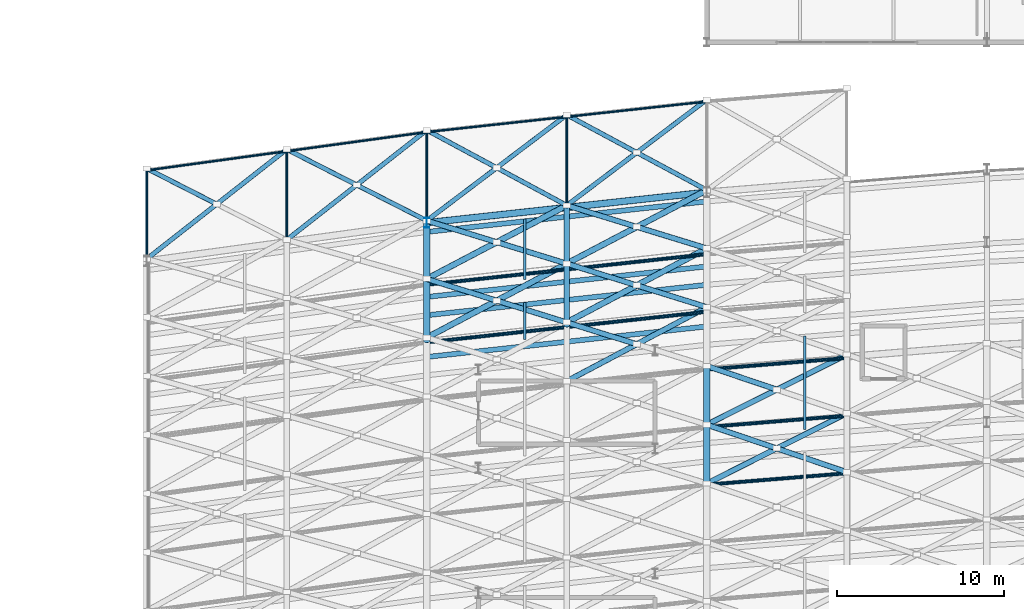
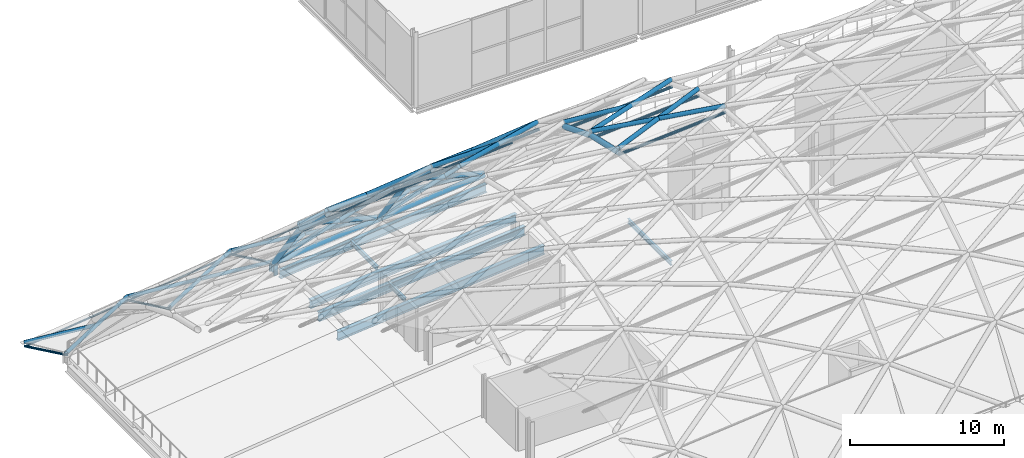
# One storey, part 24 of 100: 54 members, 7 beams.
"""IFC4 building model written with IfcOpenShell, lengths in metres."""

import ifcopenshell
import ifcopenshell.guid

model = None  # the IFC model being written
_history = None  # IfcOwnerHistory: only IFC2X3 demands one
_inside = {}  # id of a spatial element -> (the spatial element, [elements in it])
_under = {}  # id of a project, library or spatial element -> (it, [spatial elements below it])
_declared = {}  # id of a project -> (the project, [libraries it declares])
_typed = {}  # id of a type object -> (the type object, [elements of that type])
_made_of = {}  # id of a material, layer set ... -> (it, [elements and type objects made of it])


def new_model(schema):
    """Start an empty IFC model of exactly this schema.

    Asked for "IFC4X3", IfcOpenShell would pick the latest addendum, in which some entities
    have other attributes; the version numbers below select the first issue.
    IFC2X3 requires an IfcOwnerHistory on every rooted entity: one is made here for all.
    """
    global model, _history
    if schema == "IFC4X3":
        model = ifcopenshell.file(schema_version=(4, 3, 0, 0))
    else:
        model = ifcopenshell.file(schema=schema)
    _inside.clear()
    _under.clear()
    _declared.clear()
    _typed.clear()
    _made_of.clear()
    _history = None
    if model.schema == "IFC2X3":
        org = make("IfcOrganization", Name="unknown")
        user = make(
            "IfcPersonAndOrganization",
            ThePerson=make("IfcPerson", FamilyName="unknown"),
            TheOrganization=org,
        )
        app = make(
            "IfcApplication",
            ApplicationDeveloper=org,
            Version="unknown",
            ApplicationFullName="unknown",
            ApplicationIdentifier="unknown",
        )
        _history = make(
            "IfcOwnerHistory",
            OwningUser=user,
            OwningApplication=app,
            ChangeAction="ADDED",
            CreationDate=0,
        )
    return model


def make(cls, **values):
    """One entity of the class cls with the attributes given. An attribute that is None is left unset."""
    return model.create_entity(
        cls, **{name: value for name, value in values.items() if value is not None}
    )


def rooted(cls, **values):
    """An entity with a GlobalId (a new one), such as an element, a storey or a relation."""
    return make(cls, GlobalId=ifcopenshell.guid.new(), OwnerHistory=_history, **values)


def si_unit(unit_type, name, prefix=None):
    """IfcSIUnit, for example si_unit("LENGTHUNIT", "METRE", prefix="MILLI")."""
    return make("IfcSIUnit", UnitType=unit_type, Prefix=prefix, Name=name)


def assignment(units):
    """IfcUnitAssignment: the units of a project."""
    return None if units is None else make("IfcUnitAssignment", Units=units)


def point(xyz):
    """IfcCartesianPoint."""
    return None if xyz is None else make("IfcCartesianPoint", Coordinates=xyz)


def direction(xyz):
    """IfcDirection."""
    return None if xyz is None else make("IfcDirection", DirectionRatios=xyz)


def frame(location, z_axis=None, x_axis=None):
    """IfcAxis2Placement3D, a coordinate frame: its origin and axes. An axis left out is left unset."""
    return make(
        "IfcAxis2Placement3D",
        Location=point(location),
        Axis=direction(z_axis),
        RefDirection=direction(x_axis),
    )


def frame_2d(location, x_axis=None):
    """IfcAxis2Placement2D, a coordinate frame in the plane: its origin and x axis."""
    return make(
        "IfcAxis2Placement2D", Location=point(location), RefDirection=direction(x_axis)
    )


def origin():
    """The frame at (0, 0, 0) with its axes left unset."""
    return frame((0.0, 0.0, 0.0))


def origin_2d():
    """The frame at (0, 0) in the plane with its x axis left unset."""
    return frame_2d((0.0, 0.0))


def place(relative_to, where):
    """IfcLocalPlacement: puts the frame where relative to a parent placement (None: the world)."""
    return make(
        "IfcLocalPlacement", PlacementRelTo=relative_to, RelativePlacement=where
    )


def context(
    kind, dimensions, precision=None, world=None, true_north=None, identifier=None
):
    """IfcGeometricRepresentationContext, for example the 3D "Model" context."""
    return make(
        "IfcGeometricRepresentationContext",
        ContextIdentifier=identifier,
        ContextType=kind,
        CoordinateSpaceDimension=dimensions,
        Precision=precision,
        WorldCoordinateSystem=world,
        TrueNorth=true_north,
    )


def subcontext(parent, identifier, kind, view, scale=None):
    """IfcGeometricRepresentationSubContext, for example "Body" below "Model"."""
    return make(
        "IfcGeometricRepresentationSubContext",
        ContextIdentifier=identifier,
        ContextType=kind,
        ParentContext=parent,
        TargetScale=scale,
        TargetView=view,
    )


def project(units=None, contexts=None):
    """IfcProject with its units and contexts."""
    return rooted(
        "IfcProject",
        Name="project",
        RepresentationContexts=contexts,
        UnitsInContext=assignment(units),
    )


def spatial(cls, under=None, at=None, **own):
    """A site, building, storey or space (cls), placed at a placement, below another one or the project."""
    s = rooted(cls, ObjectPlacement=at, **own)
    if under is not None:
        _under.setdefault(under.id(), (under, []))[1].append(s)
    return s


def profile(cls, at=None, kind="AREA", **sizes):
    """A parametric profile (cls). Its sizes go by their IFC names, for example OverallWidth=200.0."""
    return make(cls, ProfileType=kind, Position=at, **sizes)


def hollow_circle(**sizes):
    """IfcCircleHollowProfileDef."""
    return profile("IfcCircleHollowProfileDef", **sizes)


def i_section(**sizes):
    """IfcIShapeProfileDef."""
    return profile("IfcIShapeProfileDef", **sizes)


def extrude(swept, where, along, depth):
    """IfcExtrudedAreaSolid: the profile swept, set in the frame where, extruded along a direction by depth."""
    return make(
        "IfcExtrudedAreaSolid",
        SweptArea=swept,
        Position=where,
        ExtrudedDirection=direction(along),
        Depth=depth,
    )


def shape(context_of_items, identifier, shape_type, items):
    """IfcShapeRepresentation: the items that make up one representation, for example the "Body"."""
    return make(
        "IfcShapeRepresentation",
        ContextOfItems=context_of_items,
        RepresentationIdentifier=identifier,
        RepresentationType=shape_type,
        Items=items,
    )


def material(Name=None, Category=None):
    """IfcMaterial."""
    return make("IfcMaterial", Name=Name, Category=Category)


def material_profile(
    of_material, cross_section, Name=None, Category=None, Priority=None
):
    """IfcMaterialProfile: a cross section and its material."""
    return make(
        "IfcMaterialProfile",
        Name=Name,
        Material=of_material,
        Profile=cross_section,
        Priority=Priority,
        Category=Category,
    )


def profile_set(profiles, Name=None, composite=None):
    """IfcMaterialProfileSet."""
    return make(
        "IfcMaterialProfileSet",
        Name=Name,
        MaterialProfiles=profiles,
        CompositeProfile=composite,
    )


def made_of(thing, what):
    """Note that an element or type object is made of a material, layer set ...; save() writes the relation."""
    if what is not None:
        _made_of.setdefault(what.id(), (what, []))[1].append(thing)
    return thing


def type_object(cls, material=None, **own):
    """A type object (cls), such as IfcWallType, which elements share."""
    return made_of(rooted(cls, **own), material)


def element(
    cls,
    number,
    at=None,
    inside=None,
    cuts=None,
    type_object=None,
    material=None,
    context=None,
    identifier="Body",
    shape_type=None,
    held_by="IfcProductDefinitionShape",
    body=None,
    shapes=None,
    **own,
):
    """One element of the class cls, such as IfcWall. Its Tag is "e" and its number.

    at: its placement. inside: the storey or other place that contains it. cuts: it is an
    opening in that element (IfcRelVoidsElement). A single representation is given by context,
    identifier, shape_type and body (its items); several are given by shapes. held_by: the class
    of the entity that holds the representations. save() writes the other relations.
    """
    e = rooted(cls, Tag="e%d" % number, ObjectPlacement=at, **own)
    if body is not None:
        shapes = [shape(context, identifier, shape_type, body)]
    if shapes is not None:
        e.Representation = make(held_by, Representations=shapes)
    if inside is not None:
        _inside.setdefault(inside.id(), (inside, []))[1].append(e)
    if cuts is not None:
        rooted(
            "IfcRelVoidsElement", RelatingBuildingElement=cuts, RelatedOpeningElement=e
        )
    if type_object is not None:
        _typed.setdefault(type_object.id(), (type_object, []))[1].append(e)
    return made_of(e, material)


def aggregate(whole, parts):
    """IfcRelAggregates: a whole, such as a stair, and the parts it consists of."""
    return rooted("IfcRelAggregates", RelatingObject=whole, RelatedObjects=parts)


def save(model, path):
    """Write the relations noted so far, then the file.

    IfcRelAggregates (storeys below a building ...), IfcRelContainedInSpatialStructure (elements
    in a storey), IfcRelDefinesByType, IfcRelAssociatesMaterial and IfcRelDeclares: one each for
    every whole, place, type object, material and project.
    """
    for whole, parts in _under.values():
        aggregate(whole, parts)
    for where, things in _inside.values():
        rooted(
            "IfcRelContainedInSpatialStructure",
            RelatedElements=things,
            RelatingStructure=where,
        )
    for kind, things in _typed.values():
        rooted("IfcRelDefinesByType", RelatedObjects=things, RelatingType=kind)
    for what, things in _made_of.values():
        rooted("IfcRelAssociatesMaterial", RelatedObjects=things, RelatingMaterial=what)
    for by, libraries in _declared.values():
        rooted("IfcRelDeclares", RelatingContext=by, RelatedDefinitions=libraries)
    model.write(path)


model = new_model("IFC4")

# Units and contexts
model_context = context("Model", 3, precision=1e-05, world=origin(), true_north=direction((0.0, 1.0)))
body_context = subcontext(model_context, "Body", "Model", "MODEL_VIEW")
ifc_project = project(units=[si_unit("LENGTHUNIT", "METRE"), si_unit("AREAUNIT", "SQUARE_METRE"), si_unit("VOLUMEUNIT", "CUBIC_METRE"), si_unit("PLANEANGLEUNIT", "RADIAN"), si_unit("MASSUNIT", "GRAM", prefix="KILO")], contexts=[model_context])

# Site, building, storey
site_placement = place(None, origin())
site = spatial("IfcSite", under=ifc_project, at=site_placement, CompositionType="ELEMENT")
building_placement = place(site_placement, origin())
building = spatial("IfcBuilding", under=site, at=building_placement, Name="Kimbaza Rail Terminus", CompositionType="ELEMENT")
storey_placement = place(building_placement, frame((0.0, 0.0, 10.800048828125)))
storey = spatial("IfcBuildingStorey", under=building, at=storey_placement, Name="L02", CompositionType="ELEMENT", Elevation=10.800048828125)

# Beams
ifc_material_1 = material(Name="Steel S355", Category="steel")
ifc_material_profile_1 = material_profile(ifc_material_1, i_section(OverallWidth=0.300048828125, OverallDepth=0.64990234375, WebThickness=0.01611328125, FlangeThickness=0.031005859375, FilletRadius=0.027099609375, at=origin_2d()), Name="HEB 650")
ifc_profile_set_1 = profile_set([ifc_material_profile_1], Name="Steel S355")
beam_type_1 = type_object("IfcBeamType", Name="STR-BM-HEB650", PredefinedType="USERDEFINED", material=ifc_profile_set_1)
for number, where, z_axis, x_axis, name in (
    (1, (38.544189453125, 87.7392578125, -0.5849609375), (0.994106987183, 0.108403404165, 0.0), (-0.108403404165, 0.994106987183, 0.0), "Viaduct Chorded Girder P4 Bay 02"),
    (2, (38.544189453125, 91.639404296875, -0.5849609375), (0.994108571086, 0.108388878093, 0.0), (-0.108388878093, 0.994108571086, 0.0), "Viaduct Chorded Girder P4 Bay 02"),
):
    element("IfcBeam", number, at=place(storey_placement, frame(where, z_axis=z_axis, x_axis=x_axis)), inside=storey, type_object=beam_type_1, Name=name, ObjectType="GIRDER", PredefinedType="USERDEFINED", context=body_context, shape_type="SweptSolid", body=[
        extrude(i_section(OverallWidth=0.300048828125, OverallDepth=0.64990234375, WebThickness=0.01611328125, FlangeThickness=0.031005859375, FilletRadius=0.027099609375, at=origin_2d()), origin(), (0.0, 0.0, 1.0), 16.609619140625),
    ])
ifc_material_2 = material(Name="Steel S355", Category="steel")
ifc_material_profile_2 = material_profile(ifc_material_2, i_section(OverallWidth=0.300048828125, OverallDepth=0.699951171875, WebThickness=0.01708984375, FlangeThickness=0.031982421875, FilletRadius=0.027099609375, at=origin_2d()), Name="HEB 700")
ifc_profile_set_2 = profile_set([ifc_material_profile_2], Name="Steel S355")
beam_type_2 = type_object("IfcBeamType", Name="STR-BM-HEB700", PredefinedType="USERDEFINED", material=ifc_profile_set_2)
for number, where, z_axis, x_axis, name in (
    (3, (38.544189453125, 84.139404296875, -0.920166015625), (0.994108571086, 0.108388878093, 0.0), (-0.108388878093, 0.994108571086, 0.0), "Viaduct Chorded Girder TR56 Bay 02"),
    (4, (38.544189453125, 86.639404296875, -0.920166015625), (0.994108571086, 0.108388878093, 0.0), (-0.108388878093, 0.994108571086, 0.0), "Viaduct Chorded Girder TR56 Bay 02"),
):
    element("IfcBeam", number, at=place(storey_placement, frame(where, z_axis=z_axis, x_axis=x_axis)), inside=storey, type_object=beam_type_2, Name=name, ObjectType="GIRDER", PredefinedType="USERDEFINED", context=body_context, shape_type="SweptSolid", body=[
        extrude(i_section(OverallWidth=0.300048828125, OverallDepth=0.699951171875, WebThickness=0.01708984375, FlangeThickness=0.031982421875, FilletRadius=0.027099609375, at=origin_2d()), origin(), (0.0, 0.0, 1.0), 16.609619140625),
    ])
ifc_material_3 = material(Name="Steel S355", Category="steel")
ifc_material_profile_3 = material_profile(ifc_material_3, i_section(OverallWidth=0.169921875, OverallDepth=0.360107421875, WebThickness=0.008056640625, FlangeThickness=0.0126953125, FilletRadius=0.01806640625, at=origin_2d()), Name="IPE 360")
ifc_profile_set_3 = profile_set([ifc_material_profile_3], Name="Steel S355")
beam_type_3 = type_object("IfcBeamType", Name="STR-BM-IPE360", PredefinedType="JOIST", material=ifc_profile_set_3)
beam_1_placement = place(storey_placement, frame((44.280029296875, 85.1845703125, -0.75), z_axis=(0.0, 1.0, 0.0), x_axis=(-1.0, 0.0, 0.0)))
element("IfcBeam", 5, at=beam_1_placement, inside=storey, type_object=beam_type_3, Name="Viaduct Diaphragm TR56 Bay 02", PredefinedType="JOIST", context=body_context, shape_type="SweptSolid", body=[
    extrude(i_section(OverallWidth=0.169921875, OverallDepth=0.360107421875, WebThickness=0.008056640625, FlangeThickness=0.0126953125, FilletRadius=0.01806640625, at=origin_2d()), origin(), (0.0, 0.0, 1.0), 2.2099609375),
])
beam_2_placement = place(storey_placement, frame((44.280029296875, 88.784423828125, -0.43994140625), z_axis=(0.0, 1.0, 0.0), x_axis=(-1.0, 0.0, 0.0)))
element("IfcBeam", 6, at=beam_2_placement, inside=storey, type_object=beam_type_3, Name="Viaduct Diaphragm P4 Bay 02", PredefinedType="JOIST", context=body_context, shape_type="SweptSolid", body=[
    extrude(i_section(OverallWidth=0.169921875, OverallDepth=0.360107421875, WebThickness=0.008056640625, FlangeThickness=0.0126953125, FilletRadius=0.01806640625, at=origin_2d()), origin(), (0.0, 0.0, 1.0), 3.610107421875),
])
beam_3_placement = place(storey_placement, frame((61.080078125, 79.78564453125, -0.43994140625), z_axis=(0.0, 1.0, 0.0), x_axis=(-1.0, 0.0, 0.0)))
element("IfcBeam", 7, at=beam_3_placement, inside=storey, type_object=beam_type_3, Name="Viaduct Diaphragm P3 Bay 03", PredefinedType="JOIST", context=body_context, shape_type="SweptSolid", body=[
    extrude(i_section(OverallWidth=0.169921875, OverallDepth=0.360107421875, WebThickness=0.008056640625, FlangeThickness=0.0126953125, FilletRadius=0.01806640625, at=origin_2d()), origin(), (0.0, 0.0, 1.0), 5.60986328125),
])

# Members
ifc_material_4 = material(Name="White painted steel S355", Category="steel")
ifc_material_profile_4 = material_profile(ifc_material_4, hollow_circle(Radius=0.06982421875, WallThickness=0.00634765625, at=origin_2d()), Name="CHS 139.7x6.3")
ifc_profile_set_4 = profile_set([ifc_material_profile_4], Name="White painted steel S355")
member_type_1 = type_object("IfcMemberType", Name="STR-MB-CHS139", PredefinedType="COLLAR", material=ifc_profile_set_4)
for number, where, z_axis, x_axis, name in (
    (8, (21.60009765625, 95.318115234375, -2.62744140625), (0.990775062808, 0.135516696087, 0.0), (-0.135516696087, 0.990775062808, 0.0), "Vault lattice longitudinal purlin VR-00-VA14"),
    (9, (30.0, 96.467041015625, -2.62744140625), (0.990778928837, 0.135488428186, 0.0), (-0.135488428186, 0.990778928837, 0.0), "Vault lattice longitudinal purlin VR-01-VA14"),
):
    element("IfcMember", number, at=place(storey_placement, frame(where, z_axis=z_axis, x_axis=x_axis)), inside=storey, type_object=member_type_1, Name=name, PredefinedType="COLLAR", context=body_context, shape_type="SweptSolid", body=[
        extrude(hollow_circle(Radius=0.06982421875, WallThickness=0.00634765625, at=origin_2d()), origin(), (0.0, 0.0, 1.0), 8.47802734375),
    ])
member_1_placement = place(storey_placement, frame((38.39990234375, 97.61572265625, -2.62744140625), z_axis=(0.994106819652, 0.108404940487, 0.0), x_axis=(-0.108404940487, 0.994106819652, 0.0)))
element("IfcMember", 10, at=member_1_placement, inside=storey, type_object=member_type_1, Name="Vault lattice longitudinal purlin VR-02-VA14", PredefinedType="COLLAR", context=body_context, shape_type="SweptSolid", body=[
    extrude(hollow_circle(Radius=0.06982421875, WallThickness=0.00634765625, at=origin_2d()), origin(), (0.0, 0.0, 1.0), 8.449951171875),
])
member_2_placement = place(storey_placement, frame((46.800048828125, 98.53173828125, -2.62744140625), z_axis=(0.99410959352, 0.108379500241, 0.0), x_axis=(-0.108379500241, 0.99410959352, 0.0)))
element("IfcMember", 11, at=member_2_placement, inside=storey, type_object=member_type_1, Name="Vault lattice longitudinal purlin VR-03-VA14", PredefinedType="COLLAR", context=body_context, shape_type="SweptSolid", body=[
    extrude(hollow_circle(Radius=0.06982421875, WallThickness=0.00634765625, at=origin_2d()), origin(), (0.0, 0.0, 1.0), 8.44970703125),
])
ifc_material_5 = material(Name="White painted steel S355", Category="steel")
ifc_material_profile_5 = material_profile(ifc_material_5, hollow_circle(Radius=0.084228515625, WallThickness=0.00634765625, at=origin_2d()), Name="CHS 168.3x6.3")
ifc_profile_set_5 = profile_set([ifc_material_profile_5], Name="White painted steel S355")
member_type_2 = type_object("IfcMemberType", Name="STR-MB-CHS168", PredefinedType="RAFTER", material=ifc_profile_set_5)
for number, where, z_axis, x_axis, name in (
    (12, (21.60009765625, 89.8759765625, 0.0), (0.0, 0.901963905621, -0.431811432174), (-1.0, 0.0, 0.0), "Vault lattice arch chord VR-00 seg 14"),
    (13, (30.0, 91.02490234375, 0.0), (0.0, 0.901963905621, -0.431811432174), (-1.0, 0.0, 0.0), "Vault lattice arch chord VR-01 seg 14"),
    (14, (38.39990234375, 92.173583984375, 0.0), (0.0, 0.901963905621, -0.431811432174), (-1.0, 0.0, 0.0), "Vault lattice arch chord VR-02 seg 14"),
    (15, (46.800048828125, 93.089599609375, 0.0), (0.0, 0.901963905621, -0.431811432174), (-1.0, 0.0, 0.0), "Vault lattice arch chord VR-03 seg 14"),
):
    element("IfcMember", number, at=place(storey_placement, frame(where, z_axis=z_axis, x_axis=x_axis)), inside=storey, type_object=member_type_2, Name=name, PredefinedType="RAFTER", context=body_context, shape_type="SweptSolid", body=[
        extrude(hollow_circle(Radius=0.084228515625, WallThickness=0.00634765625, at=origin_2d()), origin(), (0.0, 0.0, 1.0), 6.04296875),
    ])
ifc_material_6 = material(Name="White painted steel S355", Category="steel")
ifc_material_profile_6 = material_profile(ifc_material_6, hollow_circle(Radius=0.109619140625, WallThickness=0.008056640625, at=origin_2d()), Name="CHS 219.1x8")
ifc_profile_set_6 = profile_set([ifc_material_profile_6], Name="White painted steel S355")
member_type_3 = type_object("IfcMemberType", Name="STR-MB-CHS219", PredefinedType="PURLIN", material=ifc_profile_set_6)
for number, where, z_axis, x_axis, name in (
    (16, (38.39990234375, 85.001708984375, 7.9716796875), (0.994106819652, 0.108404940487, 0.0), (-0.108404940487, 0.994106819652, 0.0), "Vault lattice longitudinal purlin VR-02-VA11"),
    (17, (38.39990234375, 88.458740234375, 4.85205078125), (0.994106819652, 0.108404940487, 0.0), (-0.108404940487, 0.994106819652, 0.0), "Vault lattice longitudinal purlin VR-02-VA12"),
):
    element("IfcMember", number, at=place(storey_placement, frame(where, z_axis=z_axis, x_axis=x_axis)), inside=storey, type_object=member_type_3, Name=name, PredefinedType="PURLIN", context=body_context, shape_type="SweptSolid", body=[
        extrude(hollow_circle(Radius=0.109619140625, WallThickness=0.008056640625, at=origin_2d()), origin(), (0.0, 0.0, 1.0), 8.449951171875),
    ])
for number, where, z_axis, x_axis, name in (
    (18, (46.800048828125, 85.917724609375, 7.9716796875), (0.99410959352, 0.108379500241, 0.0), (-0.108379500241, 0.99410959352, 0.0), "Vault lattice longitudinal purlin VR-03-VA11"),
    (19, (46.800048828125, 89.374755859375, 4.85205078125), (0.99410959352, 0.108379500241, 0.0), (-0.108379500241, 0.99410959352, 0.0), "Vault lattice longitudinal purlin VR-03-VA12"),
):
    element("IfcMember", number, at=place(storey_placement, frame(where, z_axis=z_axis, x_axis=x_axis)), inside=storey, type_object=member_type_3, Name=name, PredefinedType="PURLIN", context=body_context, shape_type="SweptSolid", body=[
        extrude(hollow_circle(Radius=0.109619140625, WallThickness=0.008056640625, at=origin_2d()), origin(), (0.0, 0.0, 1.0), 8.44970703125),
    ])
for number, where, z_axis, x_axis, name in (
    (20, (55.199951171875, 76.46240234375, 12.25244140625), (0.996688689454, 0.081312092054, 0.0), (-0.081312092054, 0.996688689454, 0.0), "Vault lattice longitudinal purlin VR-04-VA08"),
    (21, (55.199951171875, 79.91943359375, 11.462158203125), (0.996688689454, 0.081312092054, 0.0), (-0.081312092054, 0.996688689454, 0.0), "Vault lattice longitudinal purlin VR-04-VA09"),
    (22, (55.199951171875, 83.37646484375, 10.078857421875), (0.996688689454, 0.081312092054, 0.0), (-0.081312092054, 0.996688689454, 0.0), "Vault lattice longitudinal purlin VR-04-VA10"),
):
    element("IfcMember", number, at=place(storey_placement, frame(where, z_axis=z_axis, x_axis=x_axis)), inside=storey, type_object=member_type_3, Name=name, PredefinedType="PURLIN", context=body_context, shape_type="SweptSolid", body=[
        extrude(hollow_circle(Radius=0.109619140625, WallThickness=0.008056640625, at=origin_2d()), origin(), (0.0, 0.0, 1.0), 8.427978515625),
    ])
ifc_material_7 = material(Name="White painted steel S355", Category="steel")
ifc_material_profile_7 = material_profile(ifc_material_7, hollow_circle(Radius=0.136474609375, WallThickness=0.010009765625, at=origin_2d()), Name="CHS 273x10")
ifc_profile_set_7 = profile_set([ifc_material_profile_7], Name="White painted steel S355")
member_type_4 = type_object("IfcMemberType", Name="STR-MB-CHS273", PredefinedType="STRUT", material=ifc_profile_set_7)
member_3_placement = place(storey_placement, frame((21.60009765625, 90.00048828125, 0.064208984375), z_axis=(0.767380557872, 0.601307325473, -0.222613071793), x_axis=(-0.616784371104, 0.787132161432, 0.0)))
element("IfcMember", 23, at=member_3_placement, inside=storey, type_object=member_type_4, Name="Vault lattice diagonal A VR-00-VA13", PredefinedType="STRUT", context=body_context, shape_type="SweptSolid", body=[
    extrude(hollow_circle(Radius=0.136474609375, WallThickness=0.010009765625, at=origin_2d()), origin(), (0.0, 0.0, 1.0), 10.9462890625),
])
member_4_placement = place(storey_placement, frame((25.800048828125, 93.29150390625, -1.154296875), z_axis=(-0.862477589017, 0.439937269292, -0.250175153705), x_axis=(-0.454386489216, -0.890804646608, 0.0)))
element("IfcMember", 24, at=member_4_placement, inside=storey, type_object=member_type_4, Name="Vault lattice diagonal B2 VR-00-VA13", PredefinedType="STRUT", context=body_context, shape_type="SweptSolid", body=[
    extrude(hollow_circle(Radius=0.136474609375, WallThickness=0.010009765625, at=origin_2d()), origin(), (0.0, 0.0, 1.0), 4.86962890625),
])
member_5_placement = place(storey_placement, frame((30.0, 91.149169921875, 0.064208984375), z_axis=(0.767370266264, 0.601321564516, -0.222610086252), x_axis=(-0.616798545338, 0.78712105452, 0.0)))
element("IfcMember", 25, at=member_5_placement, inside=storey, type_object=member_type_4, Name="Vault lattice diagonal A VR-01-VA13", PredefinedType="STRUT", context=body_context, shape_type="SweptSolid", body=[
    extrude(hollow_circle(Radius=0.136474609375, WallThickness=0.010009765625, at=origin_2d()), origin(), (0.0, 0.0, 1.0), 10.9462890625),
])
for number, where, z_axis, x_axis, name in (
    (26, (38.39990234375, 92.298095703125, 0.064208984375), (-0.862466770419, 0.439931750882, -0.250222150274), (-0.454386489216, -0.890804646608, 0.0), "Vault lattice diagonal B1 VR-01-VA13"),
    (27, (34.199951171875, 94.4404296875, -1.154296875), (-0.862496611702, 0.43989683608, -0.250180671534), (-0.454345397095, -0.890825605906, 0.0), "Vault lattice diagonal B2 VR-01-VA13"),
):
    element("IfcMember", number, at=place(storey_placement, frame(where, z_axis=z_axis, x_axis=x_axis)), inside=storey, type_object=member_type_4, Name=name, PredefinedType="STRUT", context=body_context, shape_type="SweptSolid", body=[
        extrude(hollow_circle(Radius=0.136474609375, WallThickness=0.010009765625, at=origin_2d()), origin(), (0.0, 0.0, 1.0), 4.86962890625),
    ])
member_6_placement = place(storey_placement, frame((38.39990234375, 92.298095703125, 0.064208984375), z_axis=(0.777209398029, 0.58746431873, -0.225457813867), x_axis=(-0.60298953162, 0.797749098875, 0.0)))
element("IfcMember", 28, at=member_6_placement, inside=storey, type_object=member_type_4, Name="Vault lattice diagonal A VR-02-VA13", PredefinedType="STRUT", context=body_context, shape_type="SweptSolid", body=[
    extrude(hollow_circle(Radius=0.136474609375, WallThickness=0.010009765625, at=origin_2d()), origin(), (0.0, 0.0, 1.0), 10.80810546875),
])
for number, where, z_axis, x_axis, name in (
    (29, (46.800048828125, 93.2138671875, 0.064208984375), (-0.85329486613, 0.458913218708, -0.247561162405), (-0.473657089864, -0.88070935116, 0.0), "Vault lattice diagonal B1 VR-02-VA13"),
    (30, (42.60009765625, 95.47265625, -1.154296875), (-0.853318827703, 0.458899430011, -0.247504124055), (-0.473635734434, -0.880720836058, 0.0), "Vault lattice diagonal B2 VR-02-VA13"),
):
    element("IfcMember", number, at=place(storey_placement, frame(where, z_axis=z_axis, x_axis=x_axis)), inside=storey, type_object=member_type_4, Name=name, PredefinedType="STRUT", context=body_context, shape_type="SweptSolid", body=[
        extrude(hollow_circle(Radius=0.136474609375, WallThickness=0.010009765625, at=origin_2d()), origin(), (0.0, 0.0, 1.0), 4.922119140625),
    ])
member_7_placement = place(storey_placement, frame((46.800048828125, 93.2138671875, 0.064208984375), z_axis=(0.777200453899, 0.587474632464, -0.225461772085), x_axis=(-0.603000684868, 0.797740668419, 0.0)))
element("IfcMember", 31, at=member_7_placement, inside=storey, type_object=member_type_4, Name="Vault lattice diagonal A VR-03-VA13", PredefinedType="STRUT", context=body_context, shape_type="SweptSolid", body=[
    extrude(hollow_circle(Radius=0.136474609375, WallThickness=0.010009765625, at=origin_2d()), origin(), (0.0, 0.0, 1.0), 10.807861328125),
])
member_8_placement = place(storey_placement, frame((55.199951171875, 94.1298828125, 0.064208984375), z_axis=(-0.85329486613, 0.458913218708, -0.247561162405), x_axis=(-0.473657089864, -0.88070935116, 0.0)))
element("IfcMember", 32, at=member_8_placement, inside=storey, type_object=member_type_4, Name="Vault lattice diagonal B1 VR-03-VA13", PredefinedType="STRUT", context=body_context, shape_type="SweptSolid", body=[
    extrude(hollow_circle(Radius=0.136474609375, WallThickness=0.010009765625, at=origin_2d()), origin(), (0.0, 0.0, 1.0), 4.922119140625),
])
member_9_placement = place(storey_placement, frame((51.0, 96.388671875, -1.154296875), z_axis=(-0.85330534323, 0.45891885343, -0.247514599937), x_axis=(-0.473657089864, -0.88070935116, 0.0)))
element("IfcMember", 33, at=member_9_placement, inside=storey, type_object=member_type_4, Name="Vault lattice diagonal B2 VR-03-VA13", PredefinedType="STRUT", context=body_context, shape_type="SweptSolid", body=[
    extrude(hollow_circle(Radius=0.136474609375, WallThickness=0.010009765625, at=origin_2d()), origin(), (0.0, 0.0, 1.0), 4.921875),
])
ifc_material_8 = material(Name="White painted steel S355", Category="steel")
ifc_material_profile_8 = material_profile(ifc_material_8, hollow_circle(Radius=0.161865234375, WallThickness=0.010009765625, at=origin_2d()), Name="CHS 323.9x10")
ifc_profile_set_8 = profile_set([ifc_material_profile_8], Name="White painted steel S355")
member_type_5 = type_object("IfcMemberType", Name="STR-MB-CHS323", PredefinedType="STRUT", material=ifc_profile_set_8)
member_10_placement = place(storey_placement, frame((46.800048828125, 86.1962890625, 8.350341796875), z_axis=(-0.897980421966, 0.279056172518, -0.340233470347), x_axis=(-0.296760615771, -0.954951902939, 0.0)))
element("IfcMember", 34, at=member_10_placement, inside=storey, type_object=member_type_5, Name="Vault lattice diagonal B1 VR-02-VA11", PredefinedType="STRUT", context=body_context, shape_type="SweptSolid", body=[
    extrude(hollow_circle(Radius=0.161865234375, WallThickness=0.010009765625, at=origin_2d()), origin(), (0.0, 0.0, 1.0), 4.677001953125),
])
member_11_placement = place(storey_placement, frame((42.60009765625, 87.50146484375, 6.759033203125), z_axis=(-0.897977448357, 0.279091223923, -0.340212567333), x_axis=(-0.29679550395, -0.954941060399, 0.0)))
element("IfcMember", 35, at=member_11_placement, inside=storey, type_object=member_type_5, Name="Vault lattice diagonal B2 VR-02-VA11", PredefinedType="STRUT", context=body_context, shape_type="SweptSolid", body=[
    extrude(hollow_circle(Radius=0.161865234375, WallThickness=0.010009765625, at=origin_2d()), origin(), (0.0, 0.0, 1.0), 4.677490234375),
])
member_12_placement = place(storey_placement, frame((46.800048828125, 89.722900390625, 5.167724609375), z_axis=(-0.826720949123, 0.253451507625, -0.502289563462), x_axis=(-0.293109355165, -0.95607892243, 0.0)))
element("IfcMember", 36, at=member_12_placement, inside=storey, type_object=member_type_5, Name="Vault lattice diagonal B1 VR-02-VA12", PredefinedType="STRUT", context=body_context, shape_type="SweptSolid", body=[
    extrude(hollow_circle(Radius=0.161865234375, WallThickness=0.010009765625, at=origin_2d()), origin(), (0.0, 0.0, 1.0), 5.080322265625),
])
member_13_placement = place(storey_placement, frame((42.60009765625, 91.010498046875, 2.615966796875), z_axis=(-0.826736159751, 0.253441438417, -0.502269608331), x_axis=(-0.293093781494, -0.956083696781, 0.0)))
element("IfcMember", 37, at=member_13_placement, inside=storey, type_object=member_type_5, Name="Vault lattice diagonal B2 VR-02-VA12", PredefinedType="STRUT", context=body_context, shape_type="SweptSolid", body=[
    extrude(hollow_circle(Radius=0.161865234375, WallThickness=0.010009765625, at=origin_2d()), origin(), (0.0, 0.0, 1.0), 5.08056640625),
])
member_14_placement = place(storey_placement, frame((46.800048828125, 82.66943359375, 10.499755859375), z_axis=(0.862196356235, 0.456007297983, -0.220623633096), x_axis=(-0.46752763846, 0.883978454079, 0.0)))
element("IfcMember", 38, at=member_14_placement, inside=storey, type_object=member_type_5, Name="Vault lattice diagonal A VR-03-VA10", PredefinedType="STRUT", context=body_context, shape_type="SweptSolid", body=[
    extrude(hollow_circle(Radius=0.161865234375, WallThickness=0.010009765625, at=origin_2d()), origin(), (0.0, 0.0, 1.0), 9.742431640625),
])
member_15_placement = place(storey_placement, frame((51.0, 84.890869140625, 9.425048828125), z_axis=(-0.927643307476, 0.288328126785, -0.237370565571), x_axis=(-0.296811236638, -0.95493617054, 0.0)))
element("IfcMember", 39, at=member_15_placement, inside=storey, type_object=member_type_5, Name="Vault lattice diagonal B2 VR-03-VA10", PredefinedType="STRUT", context=body_context, shape_type="SweptSolid", body=[
    extrude(hollow_circle(Radius=0.161865234375, WallThickness=0.010009765625, at=origin_2d()), origin(), (0.0, 0.0, 1.0), 4.527587890625),
])
for number, where, z_axis, x_axis, name in (
    (40, (55.199951171875, 87.112060546875, 8.350341796875), (-0.897967340624, 0.279104305663, -0.340228513991), (-0.296811236638, -0.95493617054, 0.0), "Vault lattice diagonal B1 VR-03-VA11"),
    (41, (51.0, 88.41748046875, 6.759033203125), (-0.897967340624, 0.279104305663, -0.340228513991), (-0.296811236638, -0.95493617054, 0.0), "Vault lattice diagonal B2 VR-03-VA11"),
):
    element("IfcMember", number, at=place(storey_placement, frame(where, z_axis=z_axis, x_axis=x_axis)), inside=storey, type_object=member_type_5, Name=name, PredefinedType="STRUT", context=body_context, shape_type="SweptSolid", body=[
        extrude(hollow_circle(Radius=0.161865234375, WallThickness=0.010009765625, at=origin_2d()), origin(), (0.0, 0.0, 1.0), 4.67724609375),
    ])
for number, where, z_axis, x_axis, name in (
    (42, (55.199951171875, 90.638671875, 5.167724609375), (-0.826720949123, 0.253451507625, -0.502289563462), (-0.293109355165, -0.95607892243, 0.0), "Vault lattice diagonal B1 VR-03-VA12"),
    (43, (51.0, 91.92626953125, 2.615966796875), (-0.826720949123, 0.253451507625, -0.502289563462), (-0.293109355165, -0.95607892243, 0.0), "Vault lattice diagonal B2 VR-03-VA12"),
):
    element("IfcMember", number, at=place(storey_placement, frame(where, z_axis=z_axis, x_axis=x_axis)), inside=storey, type_object=member_type_5, Name=name, PredefinedType="STRUT", context=body_context, shape_type="SweptSolid", body=[
        extrude(hollow_circle(Radius=0.161865234375, WallThickness=0.010009765625, at=origin_2d()), origin(), (0.0, 0.0, 1.0), 5.080322265625),
    ])
member_16_placement = place(storey_placement, frame((55.199951171875, 76.531982421875, 12.71728515625), z_axis=(0.890651138534, 0.446581028337, -0.085474759771), x_axis=(-0.448221367873, 0.893922594737, 0.0)))
element("IfcMember", 44, at=member_16_placement, inside=storey, type_object=member_type_5, Name="Vault lattice diagonal A VR-04-VA08", PredefinedType="STRUT", context=body_context, shape_type="SweptSolid", body=[
    extrude(hollow_circle(Radius=0.161865234375, WallThickness=0.010009765625, at=origin_2d()), origin(), (0.0, 0.0, 1.0), 9.431396484375),
])
for number, where, z_axis, x_axis, name in (
    (45, (63.60009765625, 77.21728515625, 12.71728515625), (-0.943390937788, 0.319088111311, -0.090533506062), (-0.320403878643, -0.947281032509, 0.0), "Vault lattice diagonal B1 VR-04-VA08"),
    (46, (59.39990234375, 78.637939453125, 12.314208984375), (-0.943368395214, 0.319153872007, -0.090536605272), (-0.320470001168, -0.947258664965, 0.0), "Vault lattice diagonal B2 VR-04-VA08"),
):
    element("IfcMember", number, at=place(storey_placement, frame(where, z_axis=z_axis, x_axis=x_axis)), inside=storey, type_object=member_type_5, Name=name, PredefinedType="STRUT", context=body_context, shape_type="SweptSolid", body=[
        extrude(hollow_circle(Radius=0.161865234375, WallThickness=0.010009765625, at=origin_2d()), origin(), (0.0, 0.0, 1.0), 4.4521484375),
    ])
member_17_placement = place(storey_placement, frame((55.199951171875, 80.058837890625, 11.9111328125), z_axis=(0.884017286468, 0.443229058298, -0.148530936527), x_axis=(-0.448200606287, 0.893933004494, 0.0)))
element("IfcMember", 47, at=member_17_placement, inside=storey, type_object=member_type_5, Name="Vault lattice diagonal A VR-04-VA09", PredefinedType="STRUT", context=body_context, shape_type="SweptSolid", body=[
    extrude(hollow_circle(Radius=0.161865234375, WallThickness=0.010009765625, at=origin_2d()), origin(), (0.0, 0.0, 1.0), 9.502197265625),
])
member_18_placement = place(storey_placement, frame((59.39990234375, 82.164794921875, 11.20556640625), z_axis=(-0.935495888946, 0.316436120315, -0.157212033654), x_axis=(-0.320420591372, -0.94727537951, 0.0)))
element("IfcMember", 48, at=member_18_placement, inside=storey, type_object=member_type_5, Name="Vault lattice diagonal B2 VR-04-VA09", PredefinedType="STRUT", context=body_context, shape_type="SweptSolid", body=[
    extrude(hollow_circle(Radius=0.161865234375, WallThickness=0.010009765625, at=origin_2d()), origin(), (0.0, 0.0, 1.0), 4.489501953125),
])
ifc_material_9 = material(Name="White painted steel S355", Category="steel")
ifc_material_profile_9 = material_profile(ifc_material_9, hollow_circle(Radius=0.177734375, WallThickness=0.012451171875, at=origin_2d()), Name="CHS 355.6x12.5")
ifc_profile_set_9 = profile_set([ifc_material_profile_9], Name="White painted steel S355")
member_type_6 = type_object("IfcMemberType", Name="STR-MB-CHS355", PredefinedType="CHORD", material=ifc_profile_set_9)
member_19_placement = place(storey_placement, frame((46.800048828125, 86.018310546875, 8.108642578125), z_axis=(0.0, 0.742403219767, -0.669953326195), x_axis=(-1.0, 0.0, 0.0)))
element("IfcMember", 49, at=member_19_placement, inside=storey, type_object=member_type_6, Name="Vault lattice arch chord VR-03 seg 12", PredefinedType="CHORD", context=body_context, shape_type="SweptSolid", body=[
    extrude(hollow_circle(Radius=0.177734375, WallThickness=0.012451171875, at=origin_2d()), origin(), (0.0, 0.0, 1.0), 4.690673828125),
])
member_20_placement = place(storey_placement, frame((46.800048828125, 89.500732421875, 4.966064453125), z_axis=(0.0, 0.585733481953, -0.810503724926), x_axis=(-1.0, 0.0, 0.0)))
element("IfcMember", 50, at=member_20_placement, inside=storey, type_object=member_type_6, Name="Vault lattice arch chord VR-03 seg 13", PredefinedType="CHORD", context=body_context, shape_type="SweptSolid", body=[
    extrude(hollow_circle(Radius=0.177734375, WallThickness=0.012451171875, at=origin_2d()), origin(), (0.0, 0.0, 1.0), 6.127197265625),
])
member_21_placement = place(storey_placement, frame((38.39990234375, 85.2802734375, 8.350341796875), z_axis=(0.838220900018, 0.443314026728, -0.317582109822), x_axis=(-0.467517020332, 0.883984069823, 0.0)))
element("IfcMember", 51, at=member_21_placement, inside=storey, type_object=member_type_6, Name="Vault lattice diagonal A VR-02-VA11", PredefinedType="CHORD", context=body_context, shape_type="SweptSolid", body=[
    extrude(hollow_circle(Radius=0.177734375, WallThickness=0.012451171875, at=origin_2d()), origin(), (0.0, 0.0, 1.0), 10.021484375),
])
member_22_placement = place(storey_placement, frame((38.39990234375, 88.806884765625, 5.167724609375), z_axis=(0.779833769266, 0.409125450316, -0.473788621872), x_axis=(-0.464578149141, 0.885532124398, 0.0)))
element("IfcMember", 52, at=member_22_placement, inside=storey, type_object=member_type_6, Name="Vault lattice diagonal A VR-02-VA12", PredefinedType="CHORD", context=body_context, shape_type="SweptSolid", body=[
    extrude(hollow_circle(Radius=0.177734375, WallThickness=0.012451171875, at=origin_2d()), origin(), (0.0, 0.0, 1.0), 10.771728515625),
])
member_23_placement = place(storey_placement, frame((46.800048828125, 86.1962890625, 8.350341796875), z_axis=(0.838222707869, 0.443303504981, -0.317592025222), x_axis=(-0.467507561467, 0.883989072314, 0.0)))
element("IfcMember", 53, at=member_23_placement, inside=storey, type_object=member_type_6, Name="Vault lattice diagonal A VR-03-VA11", PredefinedType="CHORD", context=body_context, shape_type="SweptSolid", body=[
    extrude(hollow_circle(Radius=0.177734375, WallThickness=0.012451171875, at=origin_2d()), origin(), (0.0, 0.0, 1.0), 10.02099609375),
])
member_24_placement = place(storey_placement, frame((46.800048828125, 89.722900390625, 5.167724609375), z_axis=(0.77982488755, 0.409132681659, -0.473796996145), x_axis=(-0.464588737512, 0.885526569323, 0.0)))
element("IfcMember", 54, at=member_24_placement, inside=storey, type_object=member_type_6, Name="Vault lattice diagonal A VR-03-VA12", PredefinedType="CHORD", context=body_context, shape_type="SweptSolid", body=[
    extrude(hollow_circle(Radius=0.177734375, WallThickness=0.012451171875, at=origin_2d()), origin(), (0.0, 0.0, 1.0), 10.771484375),
])
ifc_material_10 = material(Name="White painted steel S355", Category="steel")
ifc_material_profile_10 = material_profile(ifc_material_10, hollow_circle(Radius=0.203125, WallThickness=0.01416015625, at=origin_2d()), Name="CHS 406.4x14.2")
ifc_profile_set_10 = profile_set([ifc_material_profile_10], Name="White painted steel S355")
member_type_7 = type_object("IfcMemberType", Name="STR-MB-CHS406", PredefinedType="CHORD", material=ifc_profile_set_10)
member_25_placement = place(storey_placement, frame((38.39990234375, 85.1025390625, 8.108642578125), z_axis=(0.0, 0.742379857618, -0.669979213859), x_axis=(-1.0, 0.0, 0.0)))
element("IfcMember", 55, at=member_25_placement, inside=storey, type_object=member_type_7, Name="Vault lattice arch chord VR-02 seg 12", PredefinedType="CHORD", context=body_context, shape_type="SweptSolid", body=[
    extrude(hollow_circle(Radius=0.203125, WallThickness=0.01416015625, at=origin_2d()), origin(), (0.0, 0.0, 1.0), 4.690673828125),
])
member_26_placement = place(storey_placement, frame((38.39990234375, 88.584716796875, 4.966064453125), z_axis=(0.0, 0.585733481953, -0.810503724926), x_axis=(-1.0, 0.0, 0.0)))
element("IfcMember", 56, at=member_26_placement, inside=storey, type_object=member_type_7, Name="Vault lattice arch chord VR-02 seg 13", PredefinedType="CHORD", context=body_context, shape_type="SweptSolid", body=[
    extrude(hollow_circle(Radius=0.203125, WallThickness=0.01416015625, at=origin_2d()), origin(), (0.0, 0.0, 1.0), 6.127197265625),
])
member_27_placement = place(storey_placement, frame((55.199951171875, 76.487548828125, 12.420654296875), z_axis=(0.0, 0.974848749884, -0.22286748271), x_axis=(-1.0, 0.0, 0.0)))
element("IfcMember", 57, at=member_27_placement, inside=storey, type_object=member_type_7, Name="Vault lattice arch chord VR-04 seg 9", PredefinedType="CHORD", context=body_context, shape_type="SweptSolid", body=[
    extrude(hollow_circle(Radius=0.203125, WallThickness=0.01416015625, at=origin_2d()), origin(), (0.0, 0.0, 1.0), 3.572265625),
])
member_28_placement = place(storey_placement, frame((55.199951171875, 79.969970703125, 11.62451171875), z_axis=(0.0, 0.928413829694, -0.37154779078), x_axis=(-1.0, 0.0, 0.0)))
element("IfcMember", 58, at=member_28_placement, inside=storey, type_object=member_type_7, Name="Vault lattice arch chord VR-04 seg 10", PredefinedType="CHORD", context=body_context, shape_type="SweptSolid", body=[
    extrude(hollow_circle(Radius=0.203125, WallThickness=0.01416015625, at=origin_2d()), origin(), (0.0, 0.0, 1.0), 3.750732421875),
])
member_29_placement = place(storey_placement, frame((38.39990234375, 92.173583984375, 0.0), z_axis=(0.994106819652, 0.108404940487, 0.0), x_axis=(-0.108404940487, 0.994106819652, 0.0)))
element("IfcMember", 59, at=member_29_placement, inside=storey, type_object=member_type_7, Name="Vault lattice springing ring chord VR-02", PredefinedType="CHORD", context=body_context, shape_type="SweptSolid", body=[
    extrude(hollow_circle(Radius=0.203125, WallThickness=0.01416015625, at=origin_2d()), origin(), (0.0, 0.0, 1.0), 8.449951171875),
])
member_30_placement = place(storey_placement, frame((46.800048828125, 93.089599609375, 0.0), z_axis=(0.99410959352, 0.108379500241, 0.0), x_axis=(-0.108379500241, 0.99410959352, 0.0)))
element("IfcMember", 60, at=member_30_placement, inside=storey, type_object=member_type_7, Name="Vault lattice springing ring chord VR-03", PredefinedType="CHORD", context=body_context, shape_type="SweptSolid", body=[
    extrude(hollow_circle(Radius=0.203125, WallThickness=0.01416015625, at=origin_2d()), origin(), (0.0, 0.0, 1.0), 8.44970703125),
])
ifc_material_11 = material(Name="Steel S355", Category="steel")
ifc_material_profile_11 = material_profile(ifc_material_11, i_section(OverallWidth=0.304931640625, OverallDepth=0.6201171875, WebThickness=0.02099609375, FlangeThickness=0.0400390625, FilletRadius=0.027099609375, at=origin_2d()), Name="HEM 600")
ifc_profile_set_11 = profile_set([ifc_material_profile_11], Name="Steel S355")
member_type_8 = type_object("IfcMemberType", Name="STR-MB-HEM600", PredefinedType="POST", material=ifc_profile_set_11)
member_31_placement = place(storey_placement, frame((38.39990234375, 92.173583984375, -0.800048828125), z_axis=(0.0, 0.0, 1.0), x_axis=(1.0, 0.0, 0.0)))
element("IfcMember", 61, at=member_31_placement, inside=storey, type_object=member_type_8, Name="Vault Springing Shoe Pedestal N VP-02", PredefinedType="POST", context=body_context, shape_type="SweptSolid", body=[
    extrude(i_section(OverallWidth=0.304931640625, OverallDepth=0.6201171875, WebThickness=0.02099609375, FlangeThickness=0.0400390625, FilletRadius=0.027099609375, at=origin_2d()), origin(), (0.0, 0.0, 1.0), 0.800048828125),
])

save(model, "model.ifc")
